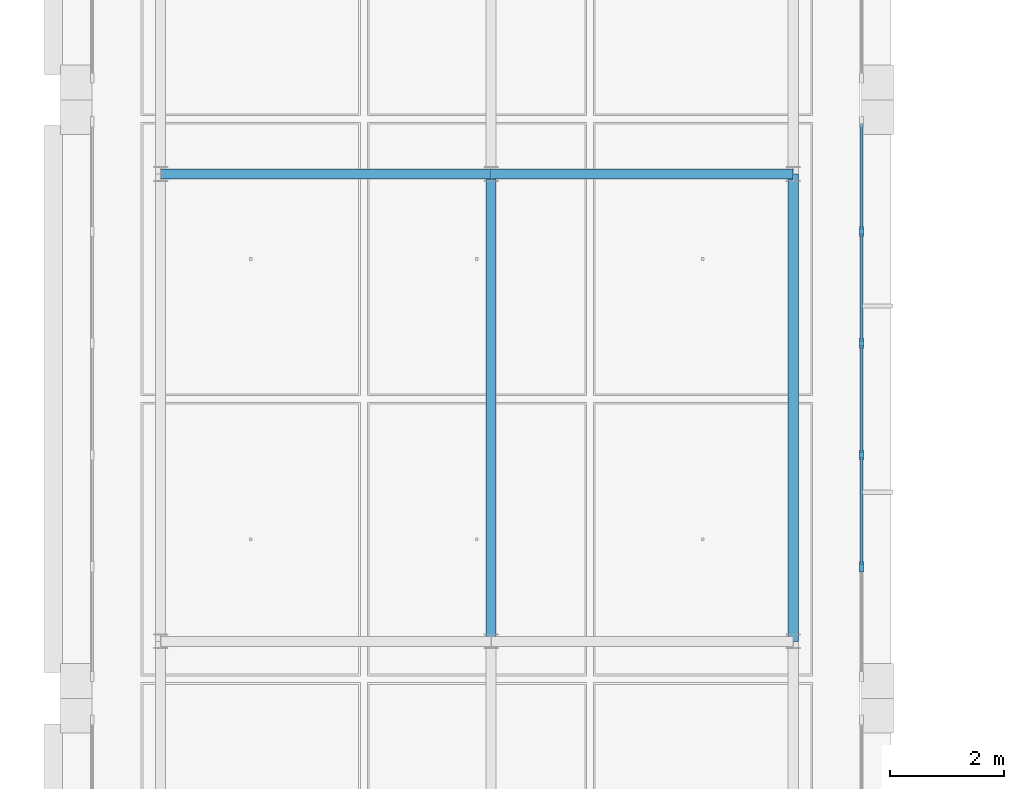
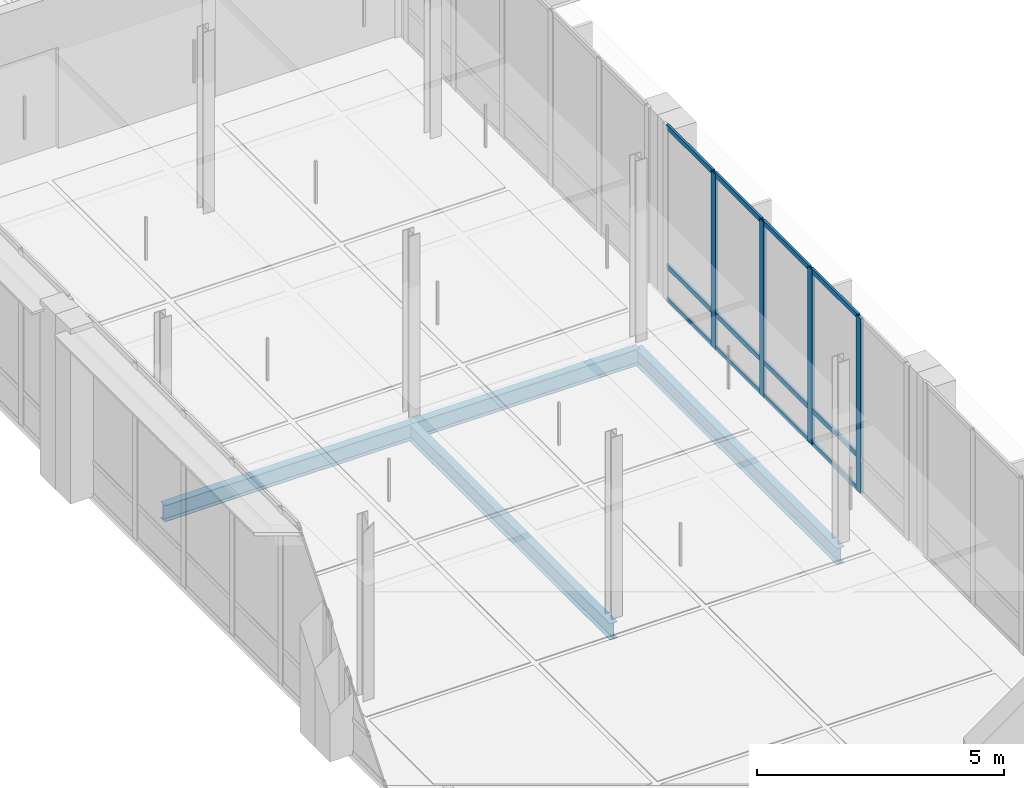
# One storey, part 44 of 140: 16 members, 4 beams, 1 element without a shape of its own.
"""IFC4 building model written with IfcOpenShell, lengths in metres."""

from ifc_helpers import new_model, si_unit, direction, frame, origin, origin_2d, place, context, subcontext, project, spatial, rectangle, i_section, extrude, material, material_profile, profile_set, type_object, element, aggregate, save


model = new_model("IFC4")

# Units and contexts
model_context = context("Model", 3, precision=1e-05, world=origin(), true_north=direction((0.0, 1.0)))
body_context = subcontext(model_context, "Body", "Model", "MODEL_VIEW")
ifc_project = project(units=[si_unit("LENGTHUNIT", "METRE"), si_unit("AREAUNIT", "SQUARE_METRE"), si_unit("VOLUMEUNIT", "CUBIC_METRE"), si_unit("PLANEANGLEUNIT", "RADIAN"), si_unit("MASSUNIT", "GRAM", prefix="KILO"), si_unit("THERMODYNAMICTEMPERATUREUNIT", "KELVIN"), si_unit("POWERUNIT", "WATT")], contexts=[model_context])

# Site, building, storey
site_placement = place(None, origin())
site = spatial("IfcSite", under=ifc_project, at=site_placement, CompositionType="ELEMENT")
building_placement = place(site_placement, origin())
building = spatial("IfcBuilding", under=site, at=building_placement, Name="Tallowbark Science Centre", CompositionType="ELEMENT")
storey_placement = place(building_placement, frame((0.0, 0.0, 9.89990234375)))
storey = spatial("IfcBuildingStorey", under=building, at=storey_placement, Name="L02", CompositionType="ELEMENT", Elevation=9.89990234375)

# Beams
ifc_material_1 = material(Name="Structural Steel Grade 300PLUS (300 MPa)", Category="steel")
ifc_material_profile_1 = material_profile(ifc_material_1, i_section(OverallWidth=0.177734375, OverallDepth=0.406494140625, WebThickness=0.0078125, FlangeThickness=0.0126953125, FilletRadius=0.011474609375, at=origin_2d()), Name="410UB59.7")
ifc_profile_set_1 = profile_set([ifc_material_profile_1], Name="Structural Steel Grade 300PLUS (300 MPa)")
beam_type = type_object("IfcBeamType", Name="BM-UB410", PredefinedType="BEAM", material=ifc_profile_set_1)
beam_1_placement = place(storey_placement, frame((100.199951171875, 60.199951171875, -0.383056640625), z_axis=(1.0, 0.0, 0.0), x_axis=(0.0, 1.0, 0.0)))
element("IfcBeam", 1, at=beam_1_placement, inside=storey, type_object=beam_type, Name="Primary Girder GRDX-L02-1002-1060-602", PredefinedType="BEAM", context=body_context, shape_type="SweptSolid", body=[
    extrude(i_section(OverallWidth=0.177734375, OverallDepth=0.406494140625, WebThickness=0.0078125, FlangeThickness=0.0126953125, FilletRadius=0.011474609375, at=origin_2d()), origin(), (0.0, 0.0, 1.0), 5.800048828125),
])
beam_2_placement = place(storey_placement, frame((106.0, 60.199951171875, -0.383056640625), z_axis=(1.0, 0.0, 0.0), x_axis=(0.0, 1.0, 0.0)))
element("IfcBeam", 2, at=beam_2_placement, inside=storey, type_object=beam_type, Name="Primary Girder GRDX-L02-1060-1113-602", PredefinedType="BEAM", context=body_context, shape_type="SweptSolid", body=[
    extrude(i_section(OverallWidth=0.177734375, OverallDepth=0.406494140625, WebThickness=0.0078125, FlangeThickness=0.0126953125, FilletRadius=0.011474609375, at=origin_2d()), origin(), (0.0, 0.0, 1.0), 5.300048828125),
])
for number, where, z_axis, x_axis, name in (
    (3, (106.0, 52.0, -0.383056640625), (0.0, 1.0, 0.0), (-1.0, 0.0, 0.0), "Primary Girder GRDY-L02-1060-520-602"),
    (4, (111.300048828125, 52.0, -0.383056640625), (0.0, 1.0, 0.0), (-1.0, 0.0, 0.0), "Primary Girder GRDY-L02-1113-520-602"),
):
    element("IfcBeam", number, at=place(storey_placement, frame(where, z_axis=z_axis, x_axis=x_axis)), inside=storey, type_object=beam_type, Name=name, PredefinedType="BEAM", context=body_context, shape_type="SweptSolid", body=[
        extrude(i_section(OverallWidth=0.177734375, OverallDepth=0.406494140625, WebThickness=0.0078125, FlangeThickness=0.0126953125, FilletRadius=0.011474609375, at=origin_2d()), origin(), (0.0, 0.0, 1.0), 8.199951171875),
    ])

# Curtain wall, members
ifc_material_2 = material(Name="Unitised Thermally Broken Aluminium and Low-E Double Glazing", Category="aluminium")
curtain_wall_type = type_object("IfcCurtainWallType", Name="CW-SYS-FACADE", PredefinedType="NOTDEFINED", material=ifc_material_2)
curtain_wall_placement = place(storey_placement, origin())
curtain_wall = element("IfcCurtainWall", 5, at=curtain_wall_placement, inside=storey, type_object=curtain_wall_type, Name="Unitised Curtain Wall LNK-E-1 CW-L02-019", PredefinedType="NOTDEFINED")
ifc_material_3 = material(Name="Anodised Architectural Aluminium Alloy 6063-T6", Category="aluminium")
ifc_material_profile_2 = material_profile(ifc_material_3, rectangle(XDim=0.06494140625, YDim=0.179931640625, at=origin_2d()), Name="ALU65x180")
ifc_profile_set_2 = profile_set([ifc_material_profile_2], Name="Anodised Architectural Aluminium Alloy 6063-T6")
member_type_1 = type_object("IfcMemberType", Name="CWM-MUL-220", PredefinedType="MULLION", material=ifc_profile_set_2)
member_1_placement = place(storey_placement, frame((112.5, 53.31005859375, 0.0), z_axis=(0.0, 0.0, 1.0), x_axis=(-1.0, 0.0, 0.0)))
member_1 = element("IfcMember", 6, at=member_1_placement, type_object=member_type_1, Name="CW-01 mullion 2", PredefinedType="MULLION", context=body_context, shape_type="SweptSolid", body=[
    extrude(rectangle(XDim=0.06494140625, YDim=0.179931640625, at=origin_2d()), origin(), (0.0, 0.0, 1.0), 4.320068359375),
])
member_2_placement = place(storey_placement, frame((112.5, 55.27001953125, 0.0), z_axis=(0.0, 0.0, 1.0), x_axis=(-1.0, 0.0, 0.0)))
member_2 = element("IfcMember", 7, at=member_2_placement, type_object=member_type_1, Name="CW-01 mullion 3", PredefinedType="MULLION", context=body_context, shape_type="SweptSolid", body=[
    extrude(rectangle(XDim=0.06494140625, YDim=0.179931640625, at=origin_2d()), origin(), (0.0, 0.0, 1.0), 4.320068359375),
])
member_3_placement = place(storey_placement, frame((112.5, 57.22998046875, 0.0), z_axis=(0.0, 0.0, 1.0), x_axis=(-1.0, 0.0, 0.0)))
member_3 = element("IfcMember", 8, at=member_3_placement, type_object=member_type_1, Name="CW-01 mullion 4", PredefinedType="MULLION", context=body_context, shape_type="SweptSolid", body=[
    extrude(rectangle(XDim=0.06494140625, YDim=0.179931640625, at=origin_2d()), origin(), (0.0, 0.0, 1.0), 4.320068359375),
])
member_4_placement = place(storey_placement, frame((112.5, 59.18994140625, 0.0), z_axis=(0.0, 0.0, 1.0), x_axis=(-1.0, 0.0, 0.0)))
member_4 = element("IfcMember", 9, at=member_4_placement, type_object=member_type_1, Name="CW-01 mullion 5", PredefinedType="MULLION", context=body_context, shape_type="SweptSolid", body=[
    extrude(rectangle(XDim=0.06494140625, YDim=0.179931640625, at=origin_2d()), origin(), (0.0, 0.0, 1.0), 4.320068359375),
])
ifc_material_profile_3 = material_profile(ifc_material_3, rectangle(XDim=0.054931640625, YDim=0.1201171875, at=origin_2d()), Name="ALU55x120")
ifc_profile_set_3 = profile_set([ifc_material_profile_3], Name="Anodised Architectural Aluminium Alloy 6063-T6")
member_type_2 = type_object("IfcMemberType", Name="CWM-TRN-150", PredefinedType="USERDEFINED", material=ifc_profile_set_3)
member_5_placement = place(storey_placement, frame((112.5, 53.342529296875, 0.027587890625), z_axis=(0.0, 1.0, 0.0), x_axis=(-1.0, 0.0, 0.0)))
member_5 = element("IfcMember", 10, at=member_5_placement, type_object=member_type_2, Name="CW-01 transom 2.1", ObjectType="TRANSOM", PredefinedType="USERDEFINED", context=body_context, shape_type="SweptSolid", body=[
    extrude(rectangle(XDim=0.054931640625, YDim=0.1201171875, at=origin_2d()), origin(), (0.0, 0.0, 1.0), 1.89501953125),
])
member_6_placement = place(storey_placement, frame((112.5, 53.342529296875, 0.85009765625), z_axis=(0.0, 1.0, 0.0), x_axis=(-1.0, 0.0, 0.0)))
member_6 = element("IfcMember", 11, at=member_6_placement, type_object=member_type_2, Name="CW-01 transom 2.2", ObjectType="TRANSOM", PredefinedType="USERDEFINED", context=body_context, shape_type="SweptSolid", body=[
    extrude(rectangle(XDim=0.054931640625, YDim=0.1201171875, at=origin_2d()), origin(), (0.0, 0.0, 1.0), 1.89501953125),
])
member_7_placement = place(storey_placement, frame((112.5, 53.342529296875, 4.29248046875), z_axis=(0.0, 1.0, 0.0), x_axis=(-1.0, 0.0, 0.0)))
member_7 = element("IfcMember", 12, at=member_7_placement, type_object=member_type_2, Name="CW-01 transom 2.3", ObjectType="TRANSOM", PredefinedType="USERDEFINED", context=body_context, shape_type="SweptSolid", body=[
    extrude(rectangle(XDim=0.054931640625, YDim=0.1201171875, at=origin_2d()), origin(), (0.0, 0.0, 1.0), 1.89501953125),
])
member_8_placement = place(storey_placement, frame((112.5, 55.302490234375, 0.027587890625), z_axis=(0.0, 1.0, 0.0), x_axis=(-1.0, 0.0, 0.0)))
member_8 = element("IfcMember", 13, at=member_8_placement, type_object=member_type_2, Name="CW-01 transom 3.1", ObjectType="TRANSOM", PredefinedType="USERDEFINED", context=body_context, shape_type="SweptSolid", body=[
    extrude(rectangle(XDim=0.054931640625, YDim=0.1201171875, at=origin_2d()), origin(), (0.0, 0.0, 1.0), 1.89501953125),
])
member_9_placement = place(storey_placement, frame((112.5, 55.302490234375, 0.85009765625), z_axis=(0.0, 1.0, 0.0), x_axis=(-1.0, 0.0, 0.0)))
member_9 = element("IfcMember", 14, at=member_9_placement, type_object=member_type_2, Name="CW-01 transom 3.2", ObjectType="TRANSOM", PredefinedType="USERDEFINED", context=body_context, shape_type="SweptSolid", body=[
    extrude(rectangle(XDim=0.054931640625, YDim=0.1201171875, at=origin_2d()), origin(), (0.0, 0.0, 1.0), 1.89501953125),
])
member_10_placement = place(storey_placement, frame((112.5, 55.302490234375, 4.29248046875), z_axis=(0.0, 1.0, 0.0), x_axis=(-1.0, 0.0, 0.0)))
member_10 = element("IfcMember", 15, at=member_10_placement, type_object=member_type_2, Name="CW-01 transom 3.3", ObjectType="TRANSOM", PredefinedType="USERDEFINED", context=body_context, shape_type="SweptSolid", body=[
    extrude(rectangle(XDim=0.054931640625, YDim=0.1201171875, at=origin_2d()), origin(), (0.0, 0.0, 1.0), 1.89501953125),
])
member_11_placement = place(storey_placement, frame((112.5, 57.262451171875, 0.027587890625), z_axis=(0.0, 1.0, 0.0), x_axis=(-1.0, 0.0, 0.0)))
member_11 = element("IfcMember", 16, at=member_11_placement, type_object=member_type_2, Name="CW-01 transom 4.1", ObjectType="TRANSOM", PredefinedType="USERDEFINED", context=body_context, shape_type="SweptSolid", body=[
    extrude(rectangle(XDim=0.054931640625, YDim=0.1201171875, at=origin_2d()), origin(), (0.0, 0.0, 1.0), 1.89501953125),
])
member_12_placement = place(storey_placement, frame((112.5, 57.262451171875, 0.85009765625), z_axis=(0.0, 1.0, 0.0), x_axis=(-1.0, 0.0, 0.0)))
member_12 = element("IfcMember", 17, at=member_12_placement, type_object=member_type_2, Name="CW-01 transom 4.2", ObjectType="TRANSOM", PredefinedType="USERDEFINED", context=body_context, shape_type="SweptSolid", body=[
    extrude(rectangle(XDim=0.054931640625, YDim=0.1201171875, at=origin_2d()), origin(), (0.0, 0.0, 1.0), 1.89501953125),
])
member_13_placement = place(storey_placement, frame((112.5, 57.262451171875, 4.29248046875), z_axis=(0.0, 1.0, 0.0), x_axis=(-1.0, 0.0, 0.0)))
member_13 = element("IfcMember", 18, at=member_13_placement, type_object=member_type_2, Name="CW-01 transom 4.3", ObjectType="TRANSOM", PredefinedType="USERDEFINED", context=body_context, shape_type="SweptSolid", body=[
    extrude(rectangle(XDim=0.054931640625, YDim=0.1201171875, at=origin_2d()), origin(), (0.0, 0.0, 1.0), 1.89501953125),
])
member_14_placement = place(storey_placement, frame((112.5, 59.222412109375, 0.027587890625), z_axis=(0.0, 1.0, 0.0), x_axis=(-1.0, 0.0, 0.0)))
member_14 = element("IfcMember", 19, at=member_14_placement, type_object=member_type_2, Name="CW-01 transom 5.1", ObjectType="TRANSOM", PredefinedType="USERDEFINED", context=body_context, shape_type="SweptSolid", body=[
    extrude(rectangle(XDim=0.054931640625, YDim=0.1201171875, at=origin_2d()), origin(), (0.0, 0.0, 1.0), 1.862548828125),
])
member_15_placement = place(storey_placement, frame((112.5, 59.222412109375, 0.85009765625), z_axis=(0.0, 1.0, 0.0), x_axis=(-1.0, 0.0, 0.0)))
member_15 = element("IfcMember", 20, at=member_15_placement, type_object=member_type_2, Name="CW-01 transom 5.2", ObjectType="TRANSOM", PredefinedType="USERDEFINED", context=body_context, shape_type="SweptSolid", body=[
    extrude(rectangle(XDim=0.054931640625, YDim=0.1201171875, at=origin_2d()), origin(), (0.0, 0.0, 1.0), 1.862548828125),
])
member_16_placement = place(storey_placement, frame((112.5, 59.222412109375, 4.29248046875), z_axis=(0.0, 1.0, 0.0), x_axis=(-1.0, 0.0, 0.0)))
member_16 = element("IfcMember", 21, at=member_16_placement, type_object=member_type_2, Name="CW-01 transom 5.3", ObjectType="TRANSOM", PredefinedType="USERDEFINED", context=body_context, shape_type="SweptSolid", body=[
    extrude(rectangle(XDim=0.054931640625, YDim=0.1201171875, at=origin_2d()), origin(), (0.0, 0.0, 1.0), 1.862548828125),
])
aggregate(curtain_wall, [member_1, member_2, member_3, member_4, member_5, member_6, member_7, member_8, member_9, member_10, member_11, member_12, member_13, member_14, member_15, member_16])

save(model, "model.ifc")
